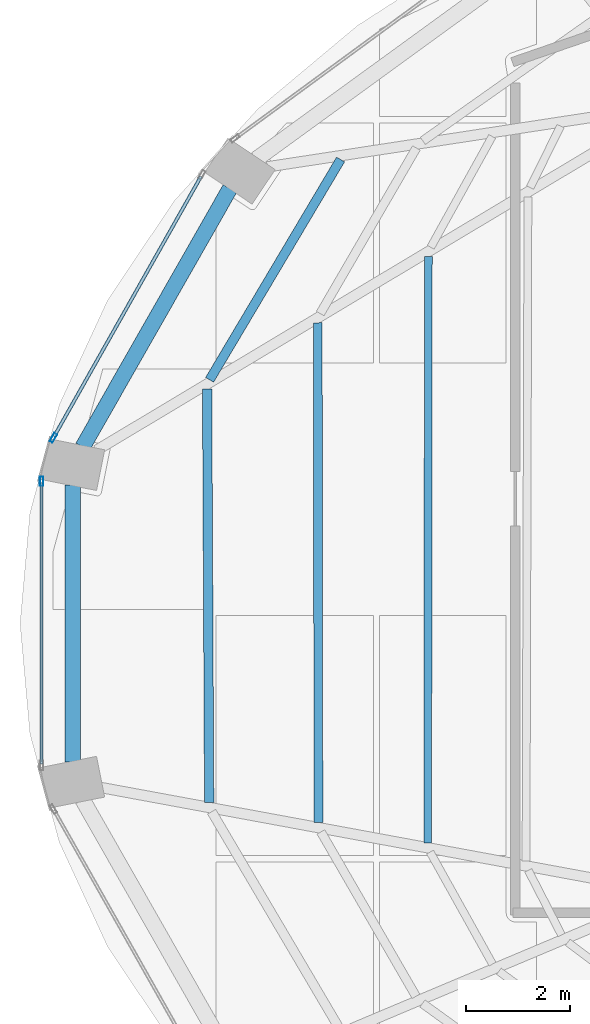
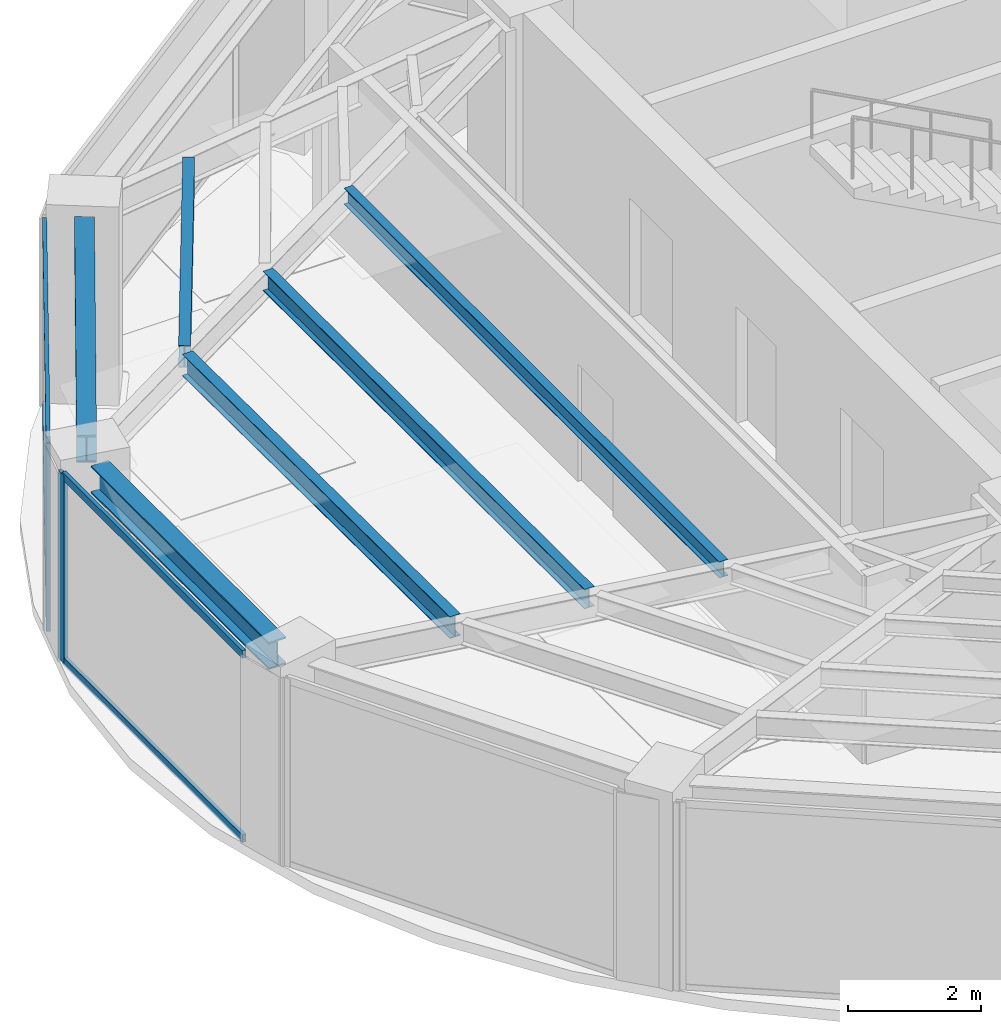
# One storey, part 8 of 22: 6 beams, 6 members, 2 elements without a shape of their own.
"""IFC4 building model written with IfcOpenShell, lengths in metres."""

from ifc_helpers import new_model, si_unit, direction, frame, origin, origin_2d, place, context, subcontext, project, spatial, hollow_rectangle, i_section, extrude, material, layer, layer_set, material_profile, profile_set, type_object, element, aggregate, save


model = new_model("IFC4")

# Units and contexts
model_context = context("Model", 3, precision=1e-05, world=origin(), true_north=direction((0.0, 1.0)))
body_context = subcontext(model_context, "Body", "Model", "MODEL_VIEW")
ifc_project = project(units=[si_unit("LENGTHUNIT", "METRE"), si_unit("AREAUNIT", "SQUARE_METRE"), si_unit("VOLUMEUNIT", "CUBIC_METRE"), si_unit("PLANEANGLEUNIT", "RADIAN"), si_unit("MASSUNIT", "GRAM", prefix="KILO")], contexts=[model_context])

# Site, building, storey
site_placement = place(None, origin())
site = spatial("IfcSite", under=ifc_project, at=site_placement, CompositionType="ELEMENT")
building_placement = place(site_placement, origin())
building = spatial("IfcBuilding", under=site, at=building_placement, Name="Lazwardi Medical Tower", CompositionType="ELEMENT")
storey_placement = place(building_placement, frame((0.0, 0.0, 251.3759765625)))
storey = spatial("IfcBuildingStorey", under=building, at=storey_placement, Name="L65", CompositionType="ELEMENT", Elevation=251.3759765625)

# Beams
ifc_material_1 = material(Name="Steel S355", Category="steel")
ifc_material_profile_1 = material_profile(ifc_material_1, i_section(OverallWidth=0.300048828125, OverallDepth=0.5, WebThickness=0.014404296875, FlangeThickness=0.028076171875, at=origin_2d()), Name="HEB 500")
ifc_profile_set_1 = profile_set([ifc_material_profile_1], Name="Steel S355")
beam_type_1 = type_object("IfcBeamType", Name="BM-RB-Z4", PredefinedType="BEAM", material=ifc_profile_set_1)
beam_1_placement = place(storey_placement, frame((17.84716796875, 33.983642578125, 3.197998046875), z_axis=(-0.495125273299, -0.868821594886, 0.0), x_axis=(0.868821594886, -0.495125273299, 0.0)))
element("IfcBeam", 1, at=beam_1_placement, inside=storey, type_object=beam_type_1, Name="Ring beam RB-05 B11 L65", PredefinedType="BEAM", context=body_context, shape_type="SweptSolid", body=[
    extrude(i_section(OverallWidth=0.300048828125, OverallDepth=0.5, WebThickness=0.014404296875, FlangeThickness=0.028076171875, at=origin_2d()), origin(), (0.0, 0.0, 1.0), 5.734130859375),
])
beam_2_placement = place(storey_placement, frame((14.81494140625, 28.27294921875, 3.197998046875), z_axis=(0.0, -1.0, 0.0), x_axis=(1.0, 0.0, 0.0)))
element("IfcBeam", 2, at=beam_2_placement, inside=storey, type_object=beam_type_1, Name="Ring beam RB-05 B12 L65", PredefinedType="BEAM", context=body_context, shape_type="SweptSolid", body=[
    extrude(i_section(OverallWidth=0.300048828125, OverallDepth=0.5, WebThickness=0.014404296875, FlangeThickness=0.028076171875, at=origin_2d()), origin(), (0.0, 0.0, 1.0), 5.345947265625),
])
ifc_material_profile_2 = material_profile(ifc_material_1, i_section(OverallWidth=0.179931640625, OverallDepth=0.39990234375, WebThickness=0.008544921875, FlangeThickness=0.013427734375, at=origin_2d()), Name="IPE 400")
ifc_profile_set_2 = profile_set([ifc_material_profile_2], Name="Steel S355")
beam_type_2 = type_object("IfcBeamType", Name="BM-SJ-01", PredefinedType="JOIST", material=ifc_profile_set_2)
beam_3_placement = place(storey_placement, frame((19.98095703125, 34.544921875, 3.248046875), z_axis=(-0.510967866251, -0.859599813668, 0.0), x_axis=(0.859599813668, -0.510967866251, 0.0)))
element("IfcBeam", 3, at=beam_3_placement, inside=storey, type_object=beam_type_2, Name="Secondary joist SJ-01 R1 B11 L65", PredefinedType="JOIST", context=body_context, shape_type="SweptSolid", body=[
    extrude(i_section(OverallWidth=0.179931640625, OverallDepth=0.39990234375, WebThickness=0.008544921875, FlangeThickness=0.013427734375, at=origin_2d()), origin(), (0.0, 0.0, 1.0), 4.94189453125),
])
beam_4_placement = place(storey_placement, frame((17.407958984375, 30.120361328125, 3.248046875), z_axis=(0.004929366644, -0.999987850598, 0.0), x_axis=(0.999987850598, 0.004929366644, 0.0)))
element("IfcBeam", 4, at=beam_4_placement, inside=storey, type_object=beam_type_2, Name="Secondary joist SJ-01 R1 B12 L65", PredefinedType="JOIST", context=body_context, shape_type="SweptSolid", body=[
    extrude(i_section(OverallWidth=0.179931640625, OverallDepth=0.39990234375, WebThickness=0.008544921875, FlangeThickness=0.013427734375, at=origin_2d()), origin(), (0.0, 0.0, 1.0), 7.973876953125),
])
ifc_material_profile_3 = material_profile(ifc_material_1, i_section(OverallWidth=0.169921875, OverallDepth=0.360107421875, WebThickness=0.008056640625, FlangeThickness=0.0126953125, at=origin_2d()), Name="IPE 360")
ifc_profile_set_3 = profile_set([ifc_material_profile_3], Name="Steel S355")
beam_type_3 = type_object("IfcBeamType", Name="BM-SJ-02", PredefinedType="JOIST", material=ifc_profile_set_3)
beam_5_placement = place(storey_placement, frame((19.541015625, 31.397705078125, 3.26806640625), z_axis=(0.001367606673, -0.999999064826, 0.0), x_axis=(0.999999064826, 0.001367606673, 0.0)))
element("IfcBeam", 5, at=beam_5_placement, inside=storey, type_object=beam_type_3, Name="Secondary joist SJ-02 R2 B12 L65", PredefinedType="JOIST", context=body_context, shape_type="SweptSolid", body=[
    extrude(i_section(OverallWidth=0.169921875, OverallDepth=0.360107421875, WebThickness=0.008056640625, FlangeThickness=0.0126953125, at=origin_2d()), origin(), (0.0, 0.0, 1.0), 9.639892578125),
])
ifc_material_profile_4 = material_profile(ifc_material_1, i_section(OverallWidth=0.14990234375, OverallDepth=0.300048828125, WebThickness=0.007080078125, FlangeThickness=0.0107421875, at=origin_2d()), Name="IPE 300")
ifc_profile_set_4 = profile_set([ifc_material_profile_4], Name="Steel S355")
beam_type_4 = type_object("IfcBeamType", Name="BM-SJ-03", PredefinedType="JOIST", material=ifc_profile_set_4)
beam_6_placement = place(storey_placement, frame((21.674072265625, 32.67529296875, 3.298095703125), z_axis=(-0.001166079235, -0.999999320129, 0.0), x_axis=(0.999999320129, -0.001166079235, 0.0)))
element("IfcBeam", 6, at=beam_6_placement, inside=storey, type_object=beam_type_4, Name="Secondary joist SJ-03 R3 B12 L65", PredefinedType="JOIST", context=body_context, shape_type="SweptSolid", body=[
    extrude(i_section(OverallWidth=0.14990234375, OverallDepth=0.300048828125, WebThickness=0.007080078125, FlangeThickness=0.0107421875, at=origin_2d()), origin(), (0.0, 0.0, 1.0), 11.305908203125),
])

# Curtain wall, member
ifc_material_2 = material(Name="Anodised bronze aluminium and solar control glazing", Category="aluminium")
ifc_layer = layer(ifc_material_2, 0.18994140625)
ifc_layer_set = layer_set([ifc_layer], Name="Anodised bronze aluminium and solar control glazing")
curtain_wall_type = type_object("IfcCurtainWallType", Name="CW-SYS-04", PredefinedType="NOTDEFINED", material=ifc_layer_set)
curtain_wall_1_placement = place(storey_placement, origin())
curtain_wall_1 = element("IfcCurtainWall", 7, at=curtain_wall_1_placement, inside=storey, type_object=curtain_wall_type, Name="L65 Unitised bronze curtain wall CW-04", PredefinedType="NOTDEFINED")
ifc_material_3 = material(Name="Anodised bronze aluminium", Category="aluminium")
ifc_material_profile_5 = material_profile(ifc_material_3, hollow_rectangle(XDim=0.06494140625, YDim=0.179931640625, WallThickness=0.00390625, at=origin_2d()), Name="ALU-MULLION 180x65x4")
ifc_profile_set_5 = profile_set([ifc_material_profile_5], Name="Anodised bronze aluminium")
member_type_1 = type_object("IfcMemberType", Name="CW-MUL-03", PredefinedType="MULLION", material=ifc_profile_set_5)
member_1_placement = place(storey_placement, frame((14.442626953125, 29.17822265625, 0.0), z_axis=(0.0, 0.0, 1.0), x_axis=(0.870651436011, -0.491900474661, 0.0)))
member_1 = element("IfcMember", 8, at=member_1_placement, type_object=member_type_1, Name="CW-04 mullion 2", PredefinedType="MULLION", context=body_context, shape_type="SweptSolid", body=[
    extrude(hollow_rectangle(XDim=0.06494140625, YDim=0.179931640625, WallThickness=0.00390625, at=origin_2d()), origin(), (0.0, 0.0, 1.0), 3.447998046875),
])

curtain_wall_2_placement = place(storey_placement, origin())
curtain_wall_2 = element("IfcCurtainWall", 9, at=curtain_wall_2_placement, inside=storey, type_object=curtain_wall_type, Name="L65 Unitised bronze curtain wall CW-04", PredefinedType="NOTDEFINED")
member_2_placement = place(storey_placement, frame((14.2158203125, 28.340576171875, 0.0), z_axis=(0.0, 0.0, 1.0), x_axis=(1.0, 0.0, 0.0)))
member_2 = element("IfcMember", 10, at=member_2_placement, type_object=member_type_1, Name="CW-04 mullion 1", PredefinedType="MULLION", context=body_context, shape_type="SweptSolid", body=[
    extrude(hollow_rectangle(XDim=0.06494140625, YDim=0.179931640625, WallThickness=0.00390625, at=origin_2d()), origin(), (0.0, 0.0, 1.0), 3.447998046875),
])

# Member
ifc_material_profile_6 = material_profile(ifc_material_3, hollow_rectangle(XDim=0.06494140625, YDim=0.139892578125, WallThickness=0.00341796875, at=origin_2d()), Name="ALU-TRANSOM 140x65x3.5")
ifc_profile_set_6 = profile_set([ifc_material_profile_6], Name="Anodised bronze aluminium")
member_type_2 = type_object("IfcMemberType", Name="CW-TRN-03", PredefinedType="USERDEFINED", material=ifc_profile_set_6)
member_3_placement = place(storey_placement, frame((17.28955078125, 34.21728515625, 0.032470703125), z_axis=(-0.491879719484, -0.87066316194, 0.0), x_axis=(0.87066316194, -0.491879719484, 0.0)))
member_3 = element("IfcMember", 11, at=member_3_placement, type_object=member_type_2, Name="CW-04 transom 1.1", ObjectType="TRANSOM", PredefinedType="USERDEFINED", context=body_context, shape_type="SweptSolid", body=[
    extrude(hollow_rectangle(XDim=0.06494140625, YDim=0.139892578125, WallThickness=0.00341796875, at=origin_2d()), origin(), (0.0, 0.0, 1.0), 5.755126953125),
])

member_4_placement = place(storey_placement, frame((17.28955078125, 34.21728515625, 3.41552734375), z_axis=(-0.491879719484, -0.87066316194, 0.0), x_axis=(0.87066316194, -0.491879719484, 0.0)))
member_4 = element("IfcMember", 12, at=member_4_placement, type_object=member_type_2, Name="CW-04 transom 1.2", ObjectType="TRANSOM", PredefinedType="USERDEFINED", context=body_context, shape_type="SweptSolid", body=[
    extrude(hollow_rectangle(XDim=0.06494140625, YDim=0.139892578125, WallThickness=0.00341796875, at=origin_2d()), origin(), (0.0, 0.0, 1.0), 5.755126953125),
])

aggregate(curtain_wall_1, [member_1, member_3, member_4])

member_5_placement = place(storey_placement, frame((14.2158203125, 28.30810546875, 0.032470703125), z_axis=(0.0, -1.0, 0.0), x_axis=(1.0, 0.0, 0.0)))
member_5 = element("IfcMember", 13, at=member_5_placement, type_object=member_type_2, Name="CW-04 transom 1.1", ObjectType="TRANSOM", PredefinedType="USERDEFINED", context=body_context, shape_type="SweptSolid", body=[
    extrude(hollow_rectangle(XDim=0.06494140625, YDim=0.139892578125, WallThickness=0.00341796875, at=origin_2d()), origin(), (0.0, 0.0, 1.0), 5.416015625),
])

member_6_placement = place(storey_placement, frame((14.2158203125, 28.30810546875, 3.41552734375), z_axis=(0.0, -1.0, 0.0), x_axis=(1.0, 0.0, 0.0)))
member_6 = element("IfcMember", 14, at=member_6_placement, type_object=member_type_2, Name="CW-04 transom 1.2", ObjectType="TRANSOM", PredefinedType="USERDEFINED", context=body_context, shape_type="SweptSolid", body=[
    extrude(hollow_rectangle(XDim=0.06494140625, YDim=0.139892578125, WallThickness=0.00341796875, at=origin_2d()), origin(), (0.0, 0.0, 1.0), 5.416015625),
])

aggregate(curtain_wall_2, [member_2, member_5, member_6])

save(model, "model.ifc")
